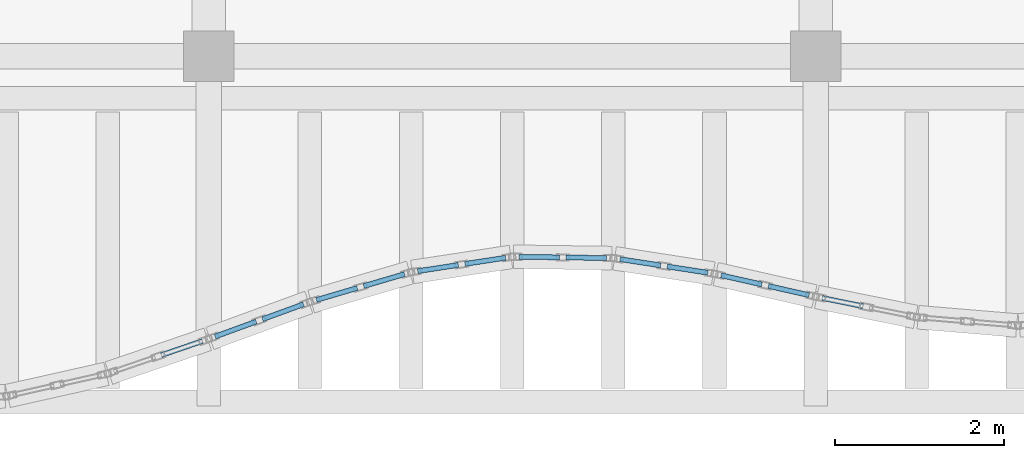
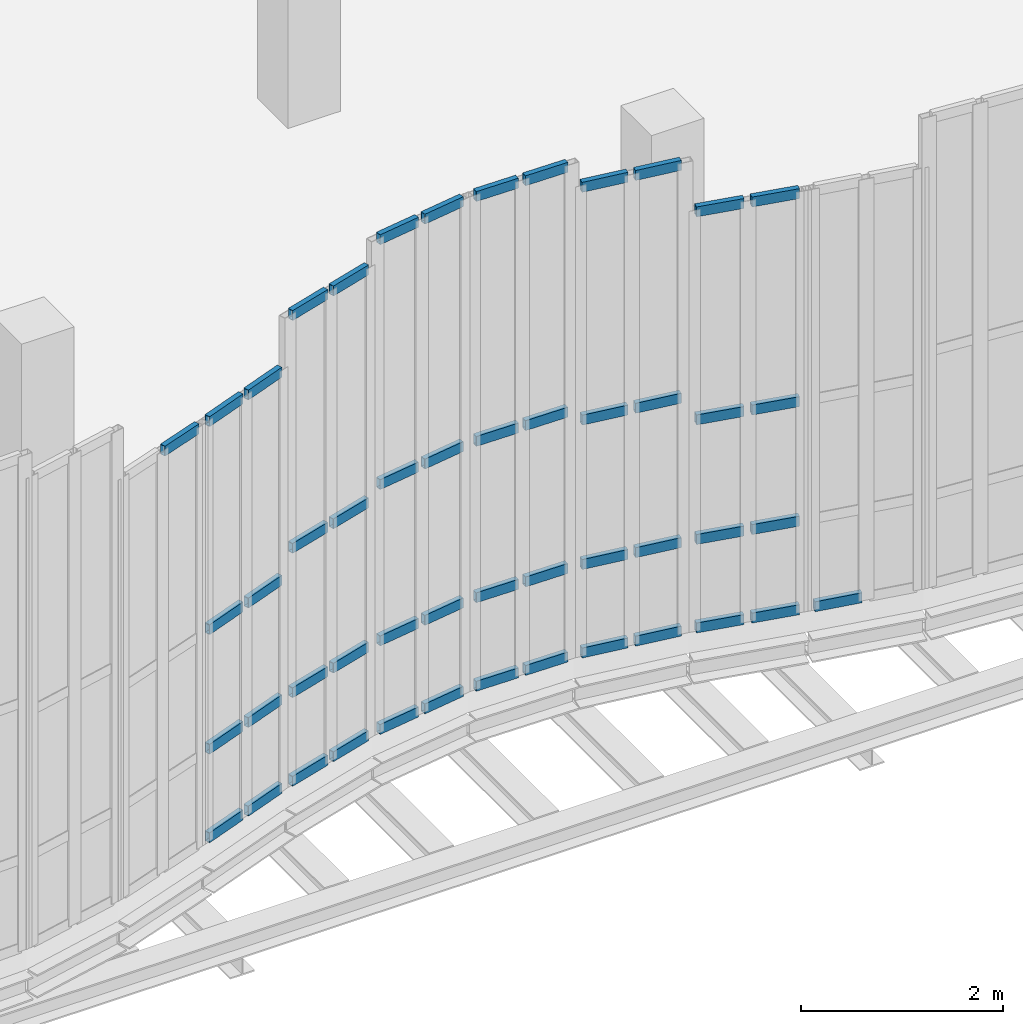
# One storey, part 41 of 76: 50 members, 8 elements without a shape of their own.
"""IFC4 building model written with IfcOpenShell, lengths in metres."""

from ifc_helpers import new_model, si_unit, direction, frame, origin, origin_2d, place, context, subcontext, project, spatial, hollow_rectangle, extrude, material, layer, layer_set, material_profile, profile_set, type_object, element, aggregate, save


model = new_model("IFC4")

# Units and contexts
model_context = context("Model", 3, precision=1e-05, world=origin(), true_north=direction((0.0, 1.0)))
body_context = subcontext(model_context, "Body", "Model", "MODEL_VIEW")
ifc_project = project(units=[si_unit("LENGTHUNIT", "METRE"), si_unit("AREAUNIT", "SQUARE_METRE"), si_unit("VOLUMEUNIT", "CUBIC_METRE"), si_unit("PLANEANGLEUNIT", "RADIAN"), si_unit("MASSUNIT", "GRAM", prefix="KILO"), si_unit("THERMODYNAMICTEMPERATUREUNIT", "KELVIN"), si_unit("POWERUNIT", "WATT")], contexts=[model_context])

# Site, building, storey
site_placement = place(None, origin())
site = spatial("IfcSite", under=ifc_project, at=site_placement, CompositionType="ELEMENT")
building_placement = place(site_placement, origin())
building = spatial("IfcBuilding", under=site, at=building_placement, Name="Kaldorven Railside Theatre", CompositionType="ELEMENT")
storey_placement = place(building_placement, frame((0.0, 0.0, 14.39990234375)))
storey = spatial("IfcBuildingStorey", under=building, at=storey_placement, Name="L03", CompositionType="ELEMENT", Elevation=14.39990234375)

# Curtain wall, member
ifc_material_1 = material(Name="Low-E laminated solar-control glass", Category="glass")
ifc_layer_1 = layer(ifc_material_1, 0.159912109375, Name="Low-E laminated solar-control glass")
ifc_layer_set_1 = layer_set([ifc_layer_1], Name="Low-E laminated solar-control glass")
curtain_wall_type_1 = type_object("IfcCurtainWallType", Name="CWT-16", PredefinedType="USERDEFINED", material=ifc_layer_set_1)
curtain_wall_1_placement = place(storey_placement, origin())
curtain_wall_1 = element("IfcCurtainWall", 1, at=curtain_wall_1_placement, inside=storey, type_object=curtain_wall_type_1, Name="Sinusoidal Fluted Curtain Wall CW-L03-S36", ObjectType="FLUTED GLAZING", PredefinedType="USERDEFINED")
ifc_material_2 = material(Name="Anodised bronze aluminium", Category="aluminium")
ifc_material_profile = material_profile(ifc_material_2, hollow_rectangle(XDim=0.06005859375, YDim=0.1201171875, WallThickness=0.0048828125, at=origin_2d()), Name="RHS 120x60x5")
ifc_profile_set = profile_set([ifc_material_profile], Name="Anodised bronze aluminium")
member_type = type_object("IfcMemberType", Name="CWT-120", PredefinedType="USERDEFINED", material=ifc_profile_set)
member_1_placement = place(storey_placement, frame((79.437744140625, 15.65380859375, 5.06005859375), z_axis=(0.945991703324, 0.324190834606, 0.0), x_axis=(-0.324190834606, 0.945991703324, 0.0)))
member_1 = element("IfcMember", 2, at=member_1_placement, type_object=member_type, Name="CW-L03-S36 transom 2.4", ObjectType="TRANSOM", PredefinedType="USERDEFINED", context=body_context, shape_type="SweptSolid", body=[
    extrude(hollow_rectangle(XDim=0.06005859375, YDim=0.1201171875, WallThickness=0.0048828125, at=origin_2d()), origin(), (0.0, 0.0, 1.0), 0.514404296875),
])
aggregate(curtain_wall_1, [member_1])

# Curtain wall, members
ifc_layer_2 = layer(ifc_material_1, 0.159912109375, Name="Low-E laminated solar-control glass")
ifc_layer_set_2 = layer_set([ifc_layer_2], Name="Low-E laminated solar-control glass")
curtain_wall_type_2 = type_object("IfcCurtainWallType", Name="CWT-08", PredefinedType="USERDEFINED", material=ifc_layer_set_2)
curtain_wall_2_placement = place(storey_placement, origin())
curtain_wall_2 = element("IfcCurtainWall", 3, at=curtain_wall_2_placement, inside=storey, type_object=curtain_wall_type_2, Name="Sinusoidal Fluted Curtain Wall CW-L03-S37", ObjectType="FLUTED GLAZING", PredefinedType="USERDEFINED")
member_2_placement = place(storey_placement, frame((80.0751953125, 15.873779296875, 0.030029296875), z_axis=(0.939159876124, 0.343480315416, 0.0), x_axis=(-0.343480315416, 0.939159876124, 0.0)))
member_2 = element("IfcMember", 4, at=member_2_placement, type_object=member_type, Name="CW-L03-S37 transom 1.1", ObjectType="TRANSOM", PredefinedType="USERDEFINED", context=body_context, shape_type="SweptSolid", body=[
    extrude(hollow_rectangle(XDim=0.06005859375, YDim=0.1201171875, WallThickness=0.0048828125, at=origin_2d()), origin(), (0.0, 0.0, 1.0), 0.518798828125),
])
member_3_placement = place(storey_placement, frame((80.0751953125, 15.873779296875, 1.10009765625), z_axis=(0.939159876124, 0.343480315416, 0.0), x_axis=(-0.343480315416, 0.939159876124, 0.0)))
member_3 = element("IfcMember", 5, at=member_3_placement, type_object=member_type, Name="CW-L03-S37 transom 1.2", ObjectType="TRANSOM", PredefinedType="USERDEFINED", context=body_context, shape_type="SweptSolid", body=[
    extrude(hollow_rectangle(XDim=0.06005859375, YDim=0.1201171875, WallThickness=0.0048828125, at=origin_2d()), origin(), (0.0, 0.0, 1.0), 0.518798828125),
])
member_4_placement = place(storey_placement, frame((80.0751953125, 15.873779296875, 2.545166015625), z_axis=(0.939159876124, 0.343480315416, 0.0), x_axis=(-0.343480315416, 0.939159876124, 0.0)))
member_4 = element("IfcMember", 6, at=member_4_placement, type_object=member_type, Name="CW-L03-S37 transom 1.3", ObjectType="TRANSOM", PredefinedType="USERDEFINED", context=body_context, shape_type="SweptSolid", body=[
    extrude(hollow_rectangle(XDim=0.06005859375, YDim=0.1201171875, WallThickness=0.0048828125, at=origin_2d()), origin(), (0.0, 0.0, 1.0), 0.518798828125),
])
member_5_placement = place(storey_placement, frame((80.0751953125, 15.873779296875, 5.06005859375), z_axis=(0.939159876124, 0.343480315416, 0.0), x_axis=(-0.343480315416, 0.939159876124, 0.0)))
member_5 = element("IfcMember", 7, at=member_5_placement, type_object=member_type, Name="CW-L03-S37 transom 1.4", ObjectType="TRANSOM", PredefinedType="USERDEFINED", context=body_context, shape_type="SweptSolid", body=[
    extrude(hollow_rectangle(XDim=0.06005859375, YDim=0.1201171875, WallThickness=0.0048828125, at=origin_2d()), origin(), (0.0, 0.0, 1.0), 0.518798828125),
])
member_6_placement = place(storey_placement, frame((80.637451171875, 16.07958984375, 0.030029296875), z_axis=(0.939159876124, 0.343480315416, 0.0), x_axis=(-0.343480315416, 0.939159876124, 0.0)))
member_6 = element("IfcMember", 8, at=member_6_placement, type_object=member_type, Name="CW-L03-S37 transom 2.1", ObjectType="TRANSOM", PredefinedType="USERDEFINED", context=body_context, shape_type="SweptSolid", body=[
    extrude(hollow_rectangle(XDim=0.06005859375, YDim=0.1201171875, WallThickness=0.0048828125, at=origin_2d()), origin(), (0.0, 0.0, 1.0), 0.518798828125),
])
member_7_placement = place(storey_placement, frame((80.637451171875, 16.07958984375, 1.10009765625), z_axis=(0.939159876124, 0.343480315416, 0.0), x_axis=(-0.343480315416, 0.939159876124, 0.0)))
member_7 = element("IfcMember", 9, at=member_7_placement, type_object=member_type, Name="CW-L03-S37 transom 2.2", ObjectType="TRANSOM", PredefinedType="USERDEFINED", context=body_context, shape_type="SweptSolid", body=[
    extrude(hollow_rectangle(XDim=0.06005859375, YDim=0.1201171875, WallThickness=0.0048828125, at=origin_2d()), origin(), (0.0, 0.0, 1.0), 0.518798828125),
])
member_8_placement = place(storey_placement, frame((80.637451171875, 16.07958984375, 2.545166015625), z_axis=(0.939159876124, 0.343480315416, 0.0), x_axis=(-0.343480315416, 0.939159876124, 0.0)))
member_8 = element("IfcMember", 10, at=member_8_placement, type_object=member_type, Name="CW-L03-S37 transom 2.3", ObjectType="TRANSOM", PredefinedType="USERDEFINED", context=body_context, shape_type="SweptSolid", body=[
    extrude(hollow_rectangle(XDim=0.06005859375, YDim=0.1201171875, WallThickness=0.0048828125, at=origin_2d()), origin(), (0.0, 0.0, 1.0), 0.518798828125),
])
member_9_placement = place(storey_placement, frame((80.637451171875, 16.07958984375, 5.06005859375), z_axis=(0.939159876124, 0.343480315416, 0.0), x_axis=(-0.343480315416, 0.939159876124, 0.0)))
member_9 = element("IfcMember", 11, at=member_9_placement, type_object=member_type, Name="CW-L03-S37 transom 2.4", ObjectType="TRANSOM", PredefinedType="USERDEFINED", context=body_context, shape_type="SweptSolid", body=[
    extrude(hollow_rectangle(XDim=0.06005859375, YDim=0.1201171875, WallThickness=0.0048828125, at=origin_2d()), origin(), (0.0, 0.0, 1.0), 0.518798828125),
])
aggregate(curtain_wall_2, [member_2, member_3, member_4, member_5, member_6, member_7, member_8, member_9])

ifc_layer_3 = layer(ifc_material_1, 0.159912109375, Name="Low-E laminated solar-control glass")
ifc_layer_set_3 = layer_set([ifc_layer_3], Name="Low-E laminated solar-control glass")
curtain_wall_type_3 = type_object("IfcCurtainWallType", Name="CWT-17", PredefinedType="USERDEFINED", material=ifc_layer_set_3)
curtain_wall_3_placement = place(storey_placement, origin())
curtain_wall_3 = element("IfcCurtainWall", 12, at=curtain_wall_3_placement, inside=storey, type_object=curtain_wall_type_3, Name="Sinusoidal Fluted Curtain Wall CW-L03-S38", ObjectType="FLUTED GLAZING", PredefinedType="USERDEFINED")
member_10_placement = place(storey_placement, frame((81.27685546875, 16.307861328125, 0.030029296875), z_axis=(0.959380884602, 0.282114016419, 0.0), x_axis=(-0.282114016419, 0.959380884602, 0.0)))
member_10 = element("IfcMember", 13, at=member_10_placement, type_object=member_type, Name="CW-L03-S38 transom 1.1", ObjectType="TRANSOM", PredefinedType="USERDEFINED", context=body_context, shape_type="SweptSolid", body=[
    extrude(hollow_rectangle(XDim=0.06005859375, YDim=0.1201171875, WallThickness=0.0048828125, at=origin_2d()), origin(), (0.0, 0.0, 1.0), 0.50537109375),
])
member_11_placement = place(storey_placement, frame((81.27685546875, 16.307861328125, 1.10009765625), z_axis=(0.959380884602, 0.282114016419, 0.0), x_axis=(-0.282114016419, 0.959380884602, 0.0)))
member_11 = element("IfcMember", 14, at=member_11_placement, type_object=member_type, Name="CW-L03-S38 transom 1.2", ObjectType="TRANSOM", PredefinedType="USERDEFINED", context=body_context, shape_type="SweptSolid", body=[
    extrude(hollow_rectangle(XDim=0.06005859375, YDim=0.1201171875, WallThickness=0.0048828125, at=origin_2d()), origin(), (0.0, 0.0, 1.0), 0.50537109375),
])
member_12_placement = place(storey_placement, frame((81.27685546875, 16.307861328125, 2.84521484375), z_axis=(0.959380884602, 0.282114016419, 0.0), x_axis=(-0.282114016419, 0.959380884602, 0.0)))
member_12 = element("IfcMember", 15, at=member_12_placement, type_object=member_type, Name="CW-L03-S38 transom 1.3", ObjectType="TRANSOM", PredefinedType="USERDEFINED", context=body_context, shape_type="SweptSolid", body=[
    extrude(hollow_rectangle(XDim=0.06005859375, YDim=0.1201171875, WallThickness=0.0048828125, at=origin_2d()), origin(), (0.0, 0.0, 1.0), 0.50537109375),
])
member_13_placement = place(storey_placement, frame((81.27685546875, 16.307861328125, 5.66015625), z_axis=(0.959380884602, 0.282114016419, 0.0), x_axis=(-0.282114016419, 0.959380884602, 0.0)))
member_13 = element("IfcMember", 16, at=member_13_placement, type_object=member_type, Name="CW-L03-S38 transom 1.4", ObjectType="TRANSOM", PredefinedType="USERDEFINED", context=body_context, shape_type="SweptSolid", body=[
    extrude(hollow_rectangle(XDim=0.06005859375, YDim=0.1201171875, WallThickness=0.0048828125, at=origin_2d()), origin(), (0.0, 0.0, 1.0), 0.50537109375),
])
member_14_placement = place(storey_placement, frame((81.83837890625, 16.472900390625, 0.030029296875), z_axis=(0.959380884602, 0.282114016419, 0.0), x_axis=(-0.282114016419, 0.959380884602, 0.0)))
member_14 = element("IfcMember", 17, at=member_14_placement, type_object=member_type, Name="CW-L03-S38 transom 2.1", ObjectType="TRANSOM", PredefinedType="USERDEFINED", context=body_context, shape_type="SweptSolid", body=[
    extrude(hollow_rectangle(XDim=0.06005859375, YDim=0.1201171875, WallThickness=0.0048828125, at=origin_2d()), origin(), (0.0, 0.0, 1.0), 0.50537109375),
])
member_15_placement = place(storey_placement, frame((81.83837890625, 16.472900390625, 1.10009765625), z_axis=(0.959380884602, 0.282114016419, 0.0), x_axis=(-0.282114016419, 0.959380884602, 0.0)))
member_15 = element("IfcMember", 18, at=member_15_placement, type_object=member_type, Name="CW-L03-S38 transom 2.2", ObjectType="TRANSOM", PredefinedType="USERDEFINED", context=body_context, shape_type="SweptSolid", body=[
    extrude(hollow_rectangle(XDim=0.06005859375, YDim=0.1201171875, WallThickness=0.0048828125, at=origin_2d()), origin(), (0.0, 0.0, 1.0), 0.50537109375),
])
member_16_placement = place(storey_placement, frame((81.83837890625, 16.472900390625, 2.84521484375), z_axis=(0.959380884602, 0.282114016419, 0.0), x_axis=(-0.282114016419, 0.959380884602, 0.0)))
member_16 = element("IfcMember", 19, at=member_16_placement, type_object=member_type, Name="CW-L03-S38 transom 2.3", ObjectType="TRANSOM", PredefinedType="USERDEFINED", context=body_context, shape_type="SweptSolid", body=[
    extrude(hollow_rectangle(XDim=0.06005859375, YDim=0.1201171875, WallThickness=0.0048828125, at=origin_2d()), origin(), (0.0, 0.0, 1.0), 0.50537109375),
])
member_17_placement = place(storey_placement, frame((81.83837890625, 16.472900390625, 5.66015625), z_axis=(0.959380884602, 0.282114016419, 0.0), x_axis=(-0.282114016419, 0.959380884602, 0.0)))
member_17 = element("IfcMember", 20, at=member_17_placement, type_object=member_type, Name="CW-L03-S38 transom 2.4", ObjectType="TRANSOM", PredefinedType="USERDEFINED", context=body_context, shape_type="SweptSolid", body=[
    extrude(hollow_rectangle(XDim=0.06005859375, YDim=0.1201171875, WallThickness=0.0048828125, at=origin_2d()), origin(), (0.0, 0.0, 1.0), 0.50537109375),
])
aggregate(curtain_wall_3, [member_10, member_11, member_12, member_13, member_14, member_15, member_16, member_17])

ifc_layer_4 = layer(ifc_material_1, 0.159912109375, Name="Low-E laminated solar-control glass")
ifc_layer_set_4 = layer_set([ifc_layer_4], Name="Low-E laminated solar-control glass")
curtain_wall_type_4 = type_object("IfcCurtainWallType", Name="CWT-15", PredefinedType="USERDEFINED", material=ifc_layer_set_4)
curtain_wall_4_placement = place(storey_placement, origin())
curtain_wall_4 = element("IfcCurtainWall", 21, at=curtain_wall_4_placement, inside=storey, type_object=curtain_wall_type_4, Name="Sinusoidal Fluted Curtain Wall CW-L03-S39", ObjectType="FLUTED GLAZING", PredefinedType="USERDEFINED")
member_18_placement = place(storey_placement, frame((82.47900390625, 16.650146484375, 0.030029296875), z_axis=(0.988550662101, 0.150889325199, 0.0), x_axis=(-0.150889325199, 0.988550662101, 0.0)))
member_18 = element("IfcMember", 22, at=member_18_placement, type_object=member_type, Name="CW-L03-S39 transom 1.1", ObjectType="TRANSOM", PredefinedType="USERDEFINED", context=body_context, shape_type="SweptSolid", body=[
    extrude(hollow_rectangle(XDim=0.06005859375, YDim=0.1201171875, WallThickness=0.0048828125, at=origin_2d()), origin(), (0.0, 0.0, 1.0), 0.487060546875),
])
member_19_placement = place(storey_placement, frame((82.47900390625, 16.650146484375, 1.10009765625), z_axis=(0.988550662101, 0.150889325199, 0.0), x_axis=(-0.150889325199, 0.988550662101, 0.0)))
member_19 = element("IfcMember", 23, at=member_19_placement, type_object=member_type, Name="CW-L03-S39 transom 1.2", ObjectType="TRANSOM", PredefinedType="USERDEFINED", context=body_context, shape_type="SweptSolid", body=[
    extrude(hollow_rectangle(XDim=0.06005859375, YDim=0.1201171875, WallThickness=0.0048828125, at=origin_2d()), origin(), (0.0, 0.0, 1.0), 0.487060546875),
])
member_20_placement = place(storey_placement, frame((82.47900390625, 16.650146484375, 2.989990234375), z_axis=(0.988550662101, 0.150889325199, 0.0), x_axis=(-0.150889325199, 0.988550662101, 0.0)))
member_20 = element("IfcMember", 24, at=member_20_placement, type_object=member_type, Name="CW-L03-S39 transom 1.3", ObjectType="TRANSOM", PredefinedType="USERDEFINED", context=body_context, shape_type="SweptSolid", body=[
    extrude(hollow_rectangle(XDim=0.06005859375, YDim=0.1201171875, WallThickness=0.0048828125, at=origin_2d()), origin(), (0.0, 0.0, 1.0), 0.487060546875),
])
member_21_placement = place(storey_placement, frame((82.47900390625, 16.650146484375, 5.9501953125), z_axis=(0.988550662101, 0.150889325199, 0.0), x_axis=(-0.150889325199, 0.988550662101, 0.0)))
member_21 = element("IfcMember", 25, at=member_21_placement, type_object=member_type, Name="CW-L03-S39 transom 1.4", ObjectType="TRANSOM", PredefinedType="USERDEFINED", context=body_context, shape_type="SweptSolid", body=[
    extrude(hollow_rectangle(XDim=0.06005859375, YDim=0.1201171875, WallThickness=0.0048828125, at=origin_2d()), origin(), (0.0, 0.0, 1.0), 0.487060546875),
])
member_22_placement = place(storey_placement, frame((83.03955078125, 16.735595703125, 0.030029296875), z_axis=(0.988550662101, 0.150889325199, 0.0), x_axis=(-0.150889325199, 0.988550662101, 0.0)))
member_22 = element("IfcMember", 26, at=member_22_placement, type_object=member_type, Name="CW-L03-S39 transom 2.1", ObjectType="TRANSOM", PredefinedType="USERDEFINED", context=body_context, shape_type="SweptSolid", body=[
    extrude(hollow_rectangle(XDim=0.06005859375, YDim=0.1201171875, WallThickness=0.0048828125, at=origin_2d()), origin(), (0.0, 0.0, 1.0), 0.487060546875),
])
member_23_placement = place(storey_placement, frame((83.03955078125, 16.735595703125, 1.10009765625), z_axis=(0.988550662101, 0.150889325199, 0.0), x_axis=(-0.150889325199, 0.988550662101, 0.0)))
member_23 = element("IfcMember", 27, at=member_23_placement, type_object=member_type, Name="CW-L03-S39 transom 2.2", ObjectType="TRANSOM", PredefinedType="USERDEFINED", context=body_context, shape_type="SweptSolid", body=[
    extrude(hollow_rectangle(XDim=0.06005859375, YDim=0.1201171875, WallThickness=0.0048828125, at=origin_2d()), origin(), (0.0, 0.0, 1.0), 0.487060546875),
])
member_24_placement = place(storey_placement, frame((83.03955078125, 16.735595703125, 2.989990234375), z_axis=(0.988550662101, 0.150889325199, 0.0), x_axis=(-0.150889325199, 0.988550662101, 0.0)))
member_24 = element("IfcMember", 28, at=member_24_placement, type_object=member_type, Name="CW-L03-S39 transom 2.3", ObjectType="TRANSOM", PredefinedType="USERDEFINED", context=body_context, shape_type="SweptSolid", body=[
    extrude(hollow_rectangle(XDim=0.06005859375, YDim=0.1201171875, WallThickness=0.0048828125, at=origin_2d()), origin(), (0.0, 0.0, 1.0), 0.487060546875),
])
member_25_placement = place(storey_placement, frame((83.03955078125, 16.735595703125, 5.9501953125), z_axis=(0.988550662101, 0.150889325199, 0.0), x_axis=(-0.150889325199, 0.988550662101, 0.0)))
member_25 = element("IfcMember", 29, at=member_25_placement, type_object=member_type, Name="CW-L03-S39 transom 2.4", ObjectType="TRANSOM", PredefinedType="USERDEFINED", context=body_context, shape_type="SweptSolid", body=[
    extrude(hollow_rectangle(XDim=0.06005859375, YDim=0.1201171875, WallThickness=0.0048828125, at=origin_2d()), origin(), (0.0, 0.0, 1.0), 0.487060546875),
])
aggregate(curtain_wall_4, [member_18, member_19, member_20, member_21, member_22, member_23, member_24, member_25])

ifc_layer_5 = layer(ifc_material_1, 0.159912109375, Name="Low-E laminated solar-control glass")
ifc_layer_set_5 = layer_set([ifc_layer_5], Name="Low-E laminated solar-control glass")
curtain_wall_type_5 = type_object("IfcCurtainWallType", Name="CWT-10", PredefinedType="USERDEFINED", material=ifc_layer_set_5)
curtain_wall_5_placement = place(storey_placement, origin())
curtain_wall_5 = element("IfcCurtainWall", 30, at=curtain_wall_5_placement, inside=storey, type_object=curtain_wall_type_5, Name="Sinusoidal Fluted Curtain Wall CW-L03-S40", ObjectType="FLUTED GLAZING", PredefinedType="USERDEFINED")
member_26_placement = place(storey_placement, frame((83.679931640625, 16.820068359375, 0.030029296875), z_axis=(0.999905709253, -0.013732174033, 0.0), x_axis=(0.013732174033, 0.999905709253, 0.0)))
member_26 = element("IfcMember", 31, at=member_26_placement, type_object=member_type, Name="CW-L03-S40 transom 1.1", ObjectType="TRANSOM", PredefinedType="USERDEFINED", context=body_context, shape_type="SweptSolid", body=[
    extrude(hollow_rectangle(XDim=0.06005859375, YDim=0.1201171875, WallThickness=0.0048828125, at=origin_2d()), origin(), (0.0, 0.0, 1.0), 0.47998046875),
])
member_27_placement = place(storey_placement, frame((83.679931640625, 16.820068359375, 1.10009765625), z_axis=(0.999905709253, -0.013732174033, 0.0), x_axis=(0.013732174033, 0.999905709253, 0.0)))
member_27 = element("IfcMember", 32, at=member_27_placement, type_object=member_type, Name="CW-L03-S40 transom 1.2", ObjectType="TRANSOM", PredefinedType="USERDEFINED", context=body_context, shape_type="SweptSolid", body=[
    extrude(hollow_rectangle(XDim=0.06005859375, YDim=0.1201171875, WallThickness=0.0048828125, at=origin_2d()), origin(), (0.0, 0.0, 1.0), 0.47998046875),
])
member_28_placement = place(storey_placement, frame((83.679931640625, 16.820068359375, 2.989990234375), z_axis=(0.999905709253, -0.013732174033, 0.0), x_axis=(0.013732174033, 0.999905709253, 0.0)))
member_28 = element("IfcMember", 33, at=member_28_placement, type_object=member_type, Name="CW-L03-S40 transom 1.3", ObjectType="TRANSOM", PredefinedType="USERDEFINED", context=body_context, shape_type="SweptSolid", body=[
    extrude(hollow_rectangle(XDim=0.06005859375, YDim=0.1201171875, WallThickness=0.0048828125, at=origin_2d()), origin(), (0.0, 0.0, 1.0), 0.47998046875),
])
member_29_placement = place(storey_placement, frame((83.679931640625, 16.820068359375, 5.9501953125), z_axis=(0.999905709253, -0.013732174033, 0.0), x_axis=(0.013732174033, 0.999905709253, 0.0)))
member_29 = element("IfcMember", 34, at=member_29_placement, type_object=member_type, Name="CW-L03-S40 transom 1.4", ObjectType="TRANSOM", PredefinedType="USERDEFINED", context=body_context, shape_type="SweptSolid", body=[
    extrude(hollow_rectangle(XDim=0.06005859375, YDim=0.1201171875, WallThickness=0.0048828125, at=origin_2d()), origin(), (0.0, 0.0, 1.0), 0.47998046875),
])
member_30_placement = place(storey_placement, frame((84.239990234375, 16.812255859375, 0.030029296875), z_axis=(0.999905709253, -0.013732174033, 0.0), x_axis=(0.013732174033, 0.999905709253, 0.0)))
member_30 = element("IfcMember", 35, at=member_30_placement, type_object=member_type, Name="CW-L03-S40 transom 2.1", ObjectType="TRANSOM", PredefinedType="USERDEFINED", context=body_context, shape_type="SweptSolid", body=[
    extrude(hollow_rectangle(XDim=0.06005859375, YDim=0.1201171875, WallThickness=0.0048828125, at=origin_2d()), origin(), (0.0, 0.0, 1.0), 0.47998046875),
])
member_31_placement = place(storey_placement, frame((84.239990234375, 16.812255859375, 1.10009765625), z_axis=(0.999905709253, -0.013732174033, 0.0), x_axis=(0.013732174033, 0.999905709253, 0.0)))
member_31 = element("IfcMember", 36, at=member_31_placement, type_object=member_type, Name="CW-L03-S40 transom 2.2", ObjectType="TRANSOM", PredefinedType="USERDEFINED", context=body_context, shape_type="SweptSolid", body=[
    extrude(hollow_rectangle(XDim=0.06005859375, YDim=0.1201171875, WallThickness=0.0048828125, at=origin_2d()), origin(), (0.0, 0.0, 1.0), 0.47998046875),
])
member_32_placement = place(storey_placement, frame((84.239990234375, 16.812255859375, 2.989990234375), z_axis=(0.999905709253, -0.013732174033, 0.0), x_axis=(0.013732174033, 0.999905709253, 0.0)))
member_32 = element("IfcMember", 37, at=member_32_placement, type_object=member_type, Name="CW-L03-S40 transom 2.3", ObjectType="TRANSOM", PredefinedType="USERDEFINED", context=body_context, shape_type="SweptSolid", body=[
    extrude(hollow_rectangle(XDim=0.06005859375, YDim=0.1201171875, WallThickness=0.0048828125, at=origin_2d()), origin(), (0.0, 0.0, 1.0), 0.47998046875),
])
member_33_placement = place(storey_placement, frame((84.239990234375, 16.812255859375, 5.9501953125), z_axis=(0.999905709253, -0.013732174033, 0.0), x_axis=(0.013732174033, 0.999905709253, 0.0)))
member_33 = element("IfcMember", 38, at=member_33_placement, type_object=member_type, Name="CW-L03-S40 transom 2.4", ObjectType="TRANSOM", PredefinedType="USERDEFINED", context=body_context, shape_type="SweptSolid", body=[
    extrude(hollow_rectangle(XDim=0.06005859375, YDim=0.1201171875, WallThickness=0.0048828125, at=origin_2d()), origin(), (0.0, 0.0, 1.0), 0.47998046875),
])
aggregate(curtain_wall_5, [member_26, member_27, member_28, member_29, member_30, member_31, member_32, member_33])

ifc_layer_6 = layer(ifc_material_1, 0.159912109375, Name="Low-E laminated solar-control glass")
ifc_layer_set_6 = layer_set([ifc_layer_6], Name="Low-E laminated solar-control glass")
curtain_wall_type_6 = type_object("IfcCurtainWallType", Name="CWT-18", PredefinedType="USERDEFINED", material=ifc_layer_set_6)
curtain_wall_6_placement = place(storey_placement, origin())
curtain_wall_6 = element("IfcCurtainWall", 39, at=curtain_wall_6_placement, inside=storey, type_object=curtain_wall_type_6, Name="Sinusoidal Fluted Curtain Wall CW-L03-S41", ObjectType="FLUTED GLAZING", PredefinedType="USERDEFINED")
member_34_placement = place(storey_placement, frame((84.879150390625, 16.79248046875, 0.030029296875), z_axis=(0.988162112514, -0.153413296007, 0.0), x_axis=(0.153413296007, 0.988162112514, 0.0)))
member_34 = element("IfcMember", 40, at=member_34_placement, type_object=member_type, Name="CW-L03-S41 transom 1.1", ObjectType="TRANSOM", PredefinedType="USERDEFINED", context=body_context, shape_type="SweptSolid", body=[
    extrude(hollow_rectangle(XDim=0.06005859375, YDim=0.1201171875, WallThickness=0.0048828125, at=origin_2d()), origin(), (0.0, 0.0, 1.0), 0.487060546875),
])
member_35_placement = place(storey_placement, frame((84.879150390625, 16.79248046875, 1.10009765625), z_axis=(0.988162112514, -0.153413296007, 0.0), x_axis=(0.153413296007, 0.988162112514, 0.0)))
member_35 = element("IfcMember", 41, at=member_35_placement, type_object=member_type, Name="CW-L03-S41 transom 1.2", ObjectType="TRANSOM", PredefinedType="USERDEFINED", context=body_context, shape_type="SweptSolid", body=[
    extrude(hollow_rectangle(XDim=0.06005859375, YDim=0.1201171875, WallThickness=0.0048828125, at=origin_2d()), origin(), (0.0, 0.0, 1.0), 0.487060546875),
])
member_36_placement = place(storey_placement, frame((84.879150390625, 16.79248046875, 2.84521484375), z_axis=(0.988162112514, -0.153413296007, 0.0), x_axis=(0.153413296007, 0.988162112514, 0.0)))
member_36 = element("IfcMember", 42, at=member_36_placement, type_object=member_type, Name="CW-L03-S41 transom 1.3", ObjectType="TRANSOM", PredefinedType="USERDEFINED", context=body_context, shape_type="SweptSolid", body=[
    extrude(hollow_rectangle(XDim=0.06005859375, YDim=0.1201171875, WallThickness=0.0048828125, at=origin_2d()), origin(), (0.0, 0.0, 1.0), 0.487060546875),
])
member_37_placement = place(storey_placement, frame((84.879150390625, 16.79248046875, 5.66015625), z_axis=(0.988162112514, -0.153413296007, 0.0), x_axis=(0.153413296007, 0.988162112514, 0.0)))
member_37 = element("IfcMember", 43, at=member_37_placement, type_object=member_type, Name="CW-L03-S41 transom 1.4", ObjectType="TRANSOM", PredefinedType="USERDEFINED", context=body_context, shape_type="SweptSolid", body=[
    extrude(hollow_rectangle(XDim=0.06005859375, YDim=0.1201171875, WallThickness=0.0048828125, at=origin_2d()), origin(), (0.0, 0.0, 1.0), 0.487060546875),
])
member_38_placement = place(storey_placement, frame((85.439453125, 16.70556640625, 0.030029296875), z_axis=(0.988249717028, -0.152847953191, 0.0), x_axis=(0.152847953191, 0.988249717028, 0.0)))
member_38 = element("IfcMember", 44, at=member_38_placement, type_object=member_type, Name="CW-L03-S41 transom 2.1", ObjectType="TRANSOM", PredefinedType="USERDEFINED", context=body_context, shape_type="SweptSolid", body=[
    extrude(hollow_rectangle(XDim=0.06005859375, YDim=0.1201171875, WallThickness=0.0048828125, at=origin_2d()), origin(), (0.0, 0.0, 1.0), 0.487060546875),
])
member_39_placement = place(storey_placement, frame((85.439453125, 16.70556640625, 1.10009765625), z_axis=(0.988249717028, -0.152847953191, 0.0), x_axis=(0.152847953191, 0.988249717028, 0.0)))
member_39 = element("IfcMember", 45, at=member_39_placement, type_object=member_type, Name="CW-L03-S41 transom 2.2", ObjectType="TRANSOM", PredefinedType="USERDEFINED", context=body_context, shape_type="SweptSolid", body=[
    extrude(hollow_rectangle(XDim=0.06005859375, YDim=0.1201171875, WallThickness=0.0048828125, at=origin_2d()), origin(), (0.0, 0.0, 1.0), 0.487060546875),
])
member_40_placement = place(storey_placement, frame((85.439453125, 16.70556640625, 2.84521484375), z_axis=(0.988249717028, -0.152847953191, 0.0), x_axis=(0.152847953191, 0.988249717028, 0.0)))
member_40 = element("IfcMember", 46, at=member_40_placement, type_object=member_type, Name="CW-L03-S41 transom 2.3", ObjectType="TRANSOM", PredefinedType="USERDEFINED", context=body_context, shape_type="SweptSolid", body=[
    extrude(hollow_rectangle(XDim=0.06005859375, YDim=0.1201171875, WallThickness=0.0048828125, at=origin_2d()), origin(), (0.0, 0.0, 1.0), 0.487060546875),
])
member_41_placement = place(storey_placement, frame((85.439453125, 16.70556640625, 5.66015625), z_axis=(0.988249717028, -0.152847953191, 0.0), x_axis=(0.152847953191, 0.988249717028, 0.0)))
member_41 = element("IfcMember", 47, at=member_41_placement, type_object=member_type, Name="CW-L03-S41 transom 2.4", ObjectType="TRANSOM", PredefinedType="USERDEFINED", context=body_context, shape_type="SweptSolid", body=[
    extrude(hollow_rectangle(XDim=0.06005859375, YDim=0.1201171875, WallThickness=0.0048828125, at=origin_2d()), origin(), (0.0, 0.0, 1.0), 0.487060546875),
])
aggregate(curtain_wall_6, [member_34, member_35, member_36, member_37, member_38, member_39, member_40, member_41])

ifc_layer_7 = layer(ifc_material_1, 0.159912109375, Name="Low-E laminated solar-control glass")
ifc_layer_set_7 = layer_set([ifc_layer_7], Name="Low-E laminated solar-control glass")
curtain_wall_type_7 = type_object("IfcCurtainWallType", Name="CWT-19", PredefinedType="USERDEFINED", material=ifc_layer_set_7)
curtain_wall_7_placement = place(storey_placement, origin())
curtain_wall_7 = element("IfcCurtainWall", 48, at=curtain_wall_7_placement, inside=storey, type_object=curtain_wall_type_7, Name="Sinusoidal Fluted Curtain Wall CW-L03-S42", ObjectType="FLUTED GLAZING", PredefinedType="USERDEFINED")
member_42_placement = place(storey_placement, frame((86.078125, 16.60107421875, 0.030029296875), z_axis=(0.975403393098, -0.22042735931, 0.0), x_axis=(0.22042735931, 0.975403393098, 0.0)))
member_42 = element("IfcMember", 49, at=member_42_placement, type_object=member_type, Name="CW-L03-S42 transom 1.1", ObjectType="TRANSOM", PredefinedType="USERDEFINED", context=body_context, shape_type="SweptSolid", body=[
    extrude(hollow_rectangle(XDim=0.06005859375, YDim=0.1201171875, WallThickness=0.0048828125, at=origin_2d()), origin(), (0.0, 0.0, 1.0), 0.4951171875),
])
member_43_placement = place(storey_placement, frame((86.078125, 16.60107421875, 1.10009765625), z_axis=(0.975403393098, -0.22042735931, 0.0), x_axis=(0.22042735931, 0.975403393098, 0.0)))
member_43 = element("IfcMember", 50, at=member_43_placement, type_object=member_type, Name="CW-L03-S42 transom 1.2", ObjectType="TRANSOM", PredefinedType="USERDEFINED", context=body_context, shape_type="SweptSolid", body=[
    extrude(hollow_rectangle(XDim=0.06005859375, YDim=0.1201171875, WallThickness=0.0048828125, at=origin_2d()), origin(), (0.0, 0.0, 1.0), 0.4951171875),
])
member_44_placement = place(storey_placement, frame((86.078125, 16.60107421875, 2.545166015625), z_axis=(0.975403393098, -0.22042735931, 0.0), x_axis=(0.22042735931, 0.975403393098, 0.0)))
member_44 = element("IfcMember", 51, at=member_44_placement, type_object=member_type, Name="CW-L03-S42 transom 1.3", ObjectType="TRANSOM", PredefinedType="USERDEFINED", context=body_context, shape_type="SweptSolid", body=[
    extrude(hollow_rectangle(XDim=0.06005859375, YDim=0.1201171875, WallThickness=0.0048828125, at=origin_2d()), origin(), (0.0, 0.0, 1.0), 0.4951171875),
])
member_45_placement = place(storey_placement, frame((86.078125, 16.60107421875, 5.06005859375), z_axis=(0.975403393098, -0.22042735931, 0.0), x_axis=(0.22042735931, 0.975403393098, 0.0)))
member_45 = element("IfcMember", 52, at=member_45_placement, type_object=member_type, Name="CW-L03-S42 transom 1.4", ObjectType="TRANSOM", PredefinedType="USERDEFINED", context=body_context, shape_type="SweptSolid", body=[
    extrude(hollow_rectangle(XDim=0.06005859375, YDim=0.1201171875, WallThickness=0.0048828125, at=origin_2d()), origin(), (0.0, 0.0, 1.0), 0.4951171875),
])
member_46_placement = place(storey_placement, frame((86.638916015625, 16.47412109375, 0.030029296875), z_axis=(0.975427335941, -0.220321384116, 0.0), x_axis=(0.220321384116, 0.975427335941, 0.0)))
member_46 = element("IfcMember", 53, at=member_46_placement, type_object=member_type, Name="CW-L03-S42 transom 2.1", ObjectType="TRANSOM", PredefinedType="USERDEFINED", context=body_context, shape_type="SweptSolid", body=[
    extrude(hollow_rectangle(XDim=0.06005859375, YDim=0.1201171875, WallThickness=0.0048828125, at=origin_2d()), origin(), (0.0, 0.0, 1.0), 0.495361328125),
])
member_47_placement = place(storey_placement, frame((86.638916015625, 16.47412109375, 1.10009765625), z_axis=(0.975427335941, -0.220321384116, 0.0), x_axis=(0.220321384116, 0.975427335941, 0.0)))
member_47 = element("IfcMember", 54, at=member_47_placement, type_object=member_type, Name="CW-L03-S42 transom 2.2", ObjectType="TRANSOM", PredefinedType="USERDEFINED", context=body_context, shape_type="SweptSolid", body=[
    extrude(hollow_rectangle(XDim=0.06005859375, YDim=0.1201171875, WallThickness=0.0048828125, at=origin_2d()), origin(), (0.0, 0.0, 1.0), 0.495361328125),
])
member_48_placement = place(storey_placement, frame((86.638916015625, 16.47412109375, 2.545166015625), z_axis=(0.975427335941, -0.220321384116, 0.0), x_axis=(0.220321384116, 0.975427335941, 0.0)))
member_48 = element("IfcMember", 55, at=member_48_placement, type_object=member_type, Name="CW-L03-S42 transom 2.3", ObjectType="TRANSOM", PredefinedType="USERDEFINED", context=body_context, shape_type="SweptSolid", body=[
    extrude(hollow_rectangle(XDim=0.06005859375, YDim=0.1201171875, WallThickness=0.0048828125, at=origin_2d()), origin(), (0.0, 0.0, 1.0), 0.495361328125),
])
member_49_placement = place(storey_placement, frame((86.638916015625, 16.47412109375, 5.06005859375), z_axis=(0.975427335941, -0.220321384116, 0.0), x_axis=(0.220321384116, 0.975427335941, 0.0)))
member_49 = element("IfcMember", 56, at=member_49_placement, type_object=member_type, Name="CW-L03-S42 transom 2.4", ObjectType="TRANSOM", PredefinedType="USERDEFINED", context=body_context, shape_type="SweptSolid", body=[
    extrude(hollow_rectangle(XDim=0.06005859375, YDim=0.1201171875, WallThickness=0.0048828125, at=origin_2d()), origin(), (0.0, 0.0, 1.0), 0.495361328125),
])
aggregate(curtain_wall_7, [member_42, member_43, member_44, member_45, member_46, member_47, member_48, member_49])

# Curtain wall, member
ifc_layer_8 = layer(ifc_material_1, 0.159912109375, Name="Low-E laminated solar-control glass")
ifc_layer_set_8 = layer_set([ifc_layer_8], Name="Low-E laminated solar-control glass")
curtain_wall_type_8 = type_object("IfcCurtainWallType", Name="CWT-20", PredefinedType="USERDEFINED", material=ifc_layer_set_8)
curtain_wall_8_placement = place(storey_placement, origin())
curtain_wall_8 = element("IfcCurtainWall", 57, at=curtain_wall_8_placement, inside=storey, type_object=curtain_wall_type_8, Name="Sinusoidal Fluted Curtain Wall CW-L03-S43", ObjectType="FLUTED GLAZING", PredefinedType="USERDEFINED")
member_50_placement = place(storey_placement, frame((87.2783203125, 16.33154296875, 0.030029296875), z_axis=(0.980120145941, -0.198404887842, 0.0), x_axis=(0.198404887842, 0.980120145941, 0.0)))
member_50 = element("IfcMember", 58, at=member_50_placement, type_object=member_type, Name="CW-L03-S43 transom 1.1", ObjectType="TRANSOM", PredefinedType="USERDEFINED", context=body_context, shape_type="SweptSolid", body=[
    extrude(hollow_rectangle(XDim=0.06005859375, YDim=0.1201171875, WallThickness=0.0048828125, at=origin_2d()), origin(), (0.0, 0.0, 1.0), 0.4921875),
])
aggregate(curtain_wall_8, [member_50])

save(model, "model.ifc")
